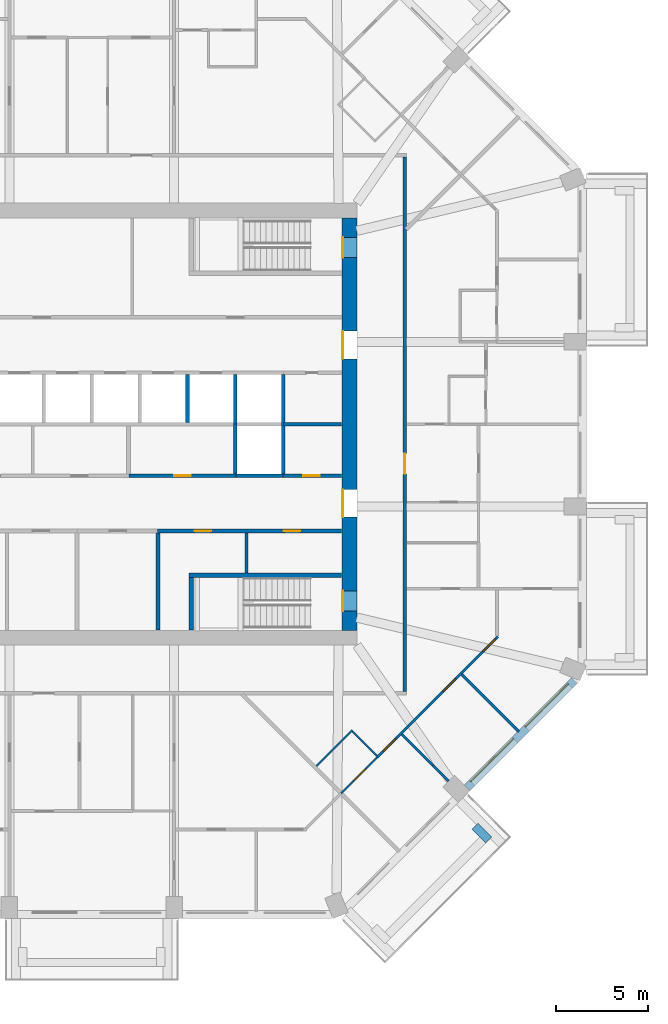
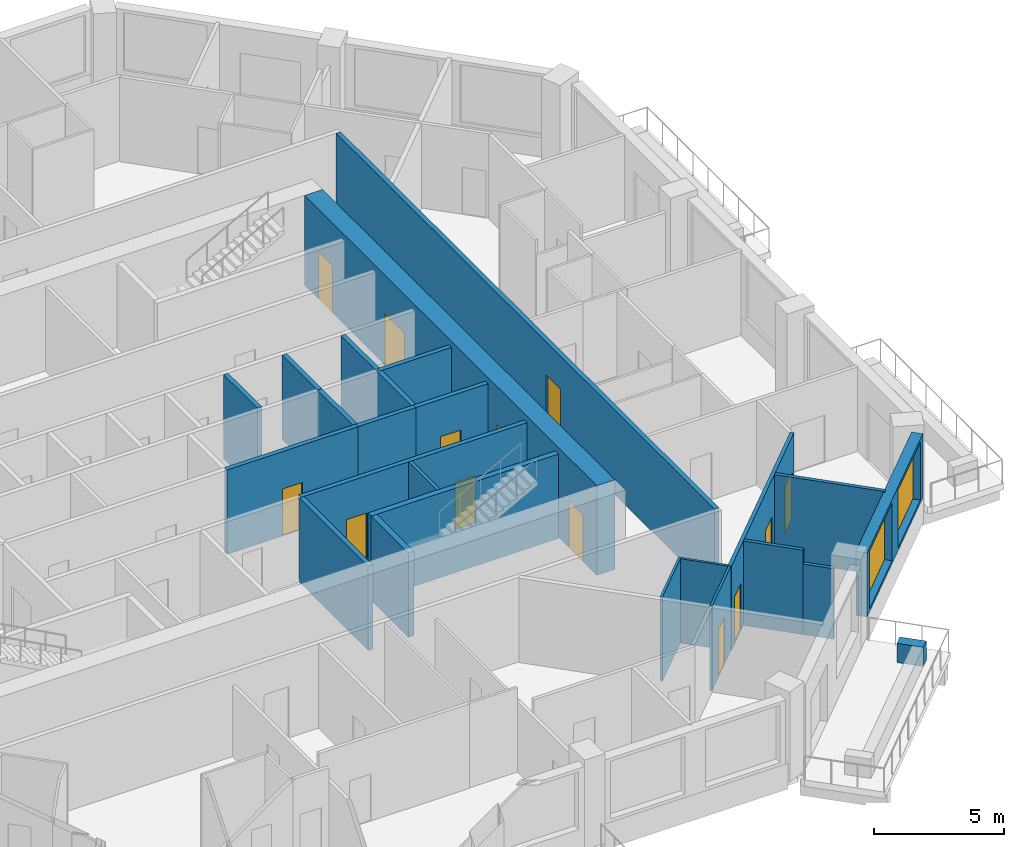
# One storey, part 6 of 13: 24 walls, 13 doors, 2 windows, 15 openings.
"""IFC4 building model written with IfcOpenShell, lengths in metres."""

import ifcopenshell
import ifcopenshell.guid

model = None  # the IFC model being written
_history = None  # IfcOwnerHistory: only IFC2X3 demands one
_inside = {}  # id of a spatial element -> (the spatial element, [elements in it])
_under = {}  # id of a project, library or spatial element -> (it, [spatial elements below it])
_declared = {}  # id of a project -> (the project, [libraries it declares])
_typed = {}  # id of a type object -> (the type object, [elements of that type])
_made_of = {}  # id of a material, layer set ... -> (it, [elements and type objects made of it])


def new_model(schema):
    """Start an empty IFC model of exactly this schema.

    Asked for "IFC4X3", IfcOpenShell would pick the latest addendum, in which some entities
    have other attributes; the version numbers below select the first issue.
    IFC2X3 requires an IfcOwnerHistory on every rooted entity: one is made here for all.
    """
    global model, _history
    if schema == "IFC4X3":
        model = ifcopenshell.file(schema_version=(4, 3, 0, 0))
    else:
        model = ifcopenshell.file(schema=schema)
    _inside.clear()
    _under.clear()
    _declared.clear()
    _typed.clear()
    _made_of.clear()
    _history = None
    if model.schema == "IFC2X3":
        org = make("IfcOrganization", Name="unknown")
        user = make(
            "IfcPersonAndOrganization",
            ThePerson=make("IfcPerson", FamilyName="unknown"),
            TheOrganization=org,
        )
        app = make(
            "IfcApplication",
            ApplicationDeveloper=org,
            Version="unknown",
            ApplicationFullName="unknown",
            ApplicationIdentifier="unknown",
        )
        _history = make(
            "IfcOwnerHistory",
            OwningUser=user,
            OwningApplication=app,
            ChangeAction="ADDED",
            CreationDate=0,
        )
    return model


def make(cls, **values):
    """One entity of the class cls with the attributes given. An attribute that is None is left unset."""
    return model.create_entity(
        cls, **{name: value for name, value in values.items() if value is not None}
    )


def rooted(cls, **values):
    """An entity with a GlobalId (a new one), such as an element, a storey or a relation."""
    return make(cls, GlobalId=ifcopenshell.guid.new(), OwnerHistory=_history, **values)


def si_unit(unit_type, name, prefix=None):
    """IfcSIUnit, for example si_unit("LENGTHUNIT", "METRE", prefix="MILLI")."""
    return make("IfcSIUnit", UnitType=unit_type, Prefix=prefix, Name=name)


def assignment(units):
    """IfcUnitAssignment: the units of a project."""
    return None if units is None else make("IfcUnitAssignment", Units=units)


def point(xyz):
    """IfcCartesianPoint."""
    return None if xyz is None else make("IfcCartesianPoint", Coordinates=xyz)


def direction(xyz):
    """IfcDirection."""
    return None if xyz is None else make("IfcDirection", DirectionRatios=xyz)


def frame(location, z_axis=None, x_axis=None):
    """IfcAxis2Placement3D, a coordinate frame: its origin and axes. An axis left out is left unset."""
    return make(
        "IfcAxis2Placement3D",
        Location=point(location),
        Axis=direction(z_axis),
        RefDirection=direction(x_axis),
    )


def frame_2d(location, x_axis=None):
    """IfcAxis2Placement2D, a coordinate frame in the plane: its origin and x axis."""
    return make(
        "IfcAxis2Placement2D", Location=point(location), RefDirection=direction(x_axis)
    )


def origin():
    """The frame at (0, 0, 0) with its axes left unset."""
    return frame((0.0, 0.0, 0.0))


def place(relative_to, where):
    """IfcLocalPlacement: puts the frame where relative to a parent placement (None: the world)."""
    return make(
        "IfcLocalPlacement", PlacementRelTo=relative_to, RelativePlacement=where
    )


def context(
    kind, dimensions, precision=None, world=None, true_north=None, identifier=None
):
    """IfcGeometricRepresentationContext, for example the 3D "Model" context."""
    return make(
        "IfcGeometricRepresentationContext",
        ContextIdentifier=identifier,
        ContextType=kind,
        CoordinateSpaceDimension=dimensions,
        Precision=precision,
        WorldCoordinateSystem=world,
        TrueNorth=true_north,
    )


def subcontext(parent, identifier, kind, view, scale=None):
    """IfcGeometricRepresentationSubContext, for example "Body" below "Model"."""
    return make(
        "IfcGeometricRepresentationSubContext",
        ContextIdentifier=identifier,
        ContextType=kind,
        ParentContext=parent,
        TargetScale=scale,
        TargetView=view,
    )


def project(units=None, contexts=None):
    """IfcProject with its units and contexts."""
    return rooted(
        "IfcProject",
        Name="project",
        RepresentationContexts=contexts,
        UnitsInContext=assignment(units),
    )


def spatial(cls, under=None, at=None, **own):
    """A site, building, storey or space (cls), placed at a placement, below another one or the project."""
    s = rooted(cls, ObjectPlacement=at, **own)
    if under is not None:
        _under.setdefault(under.id(), (under, []))[1].append(s)
    return s


def profile(cls, at=None, kind="AREA", **sizes):
    """A parametric profile (cls). Its sizes go by their IFC names, for example OverallWidth=200.0."""
    return make(cls, ProfileType=kind, Position=at, **sizes)


def rectangle(**sizes):
    """IfcRectangleProfileDef."""
    return profile("IfcRectangleProfileDef", **sizes)


def extrude(swept, where, along, depth):
    """IfcExtrudedAreaSolid: the profile swept, set in the frame where, extruded along a direction by depth."""
    return make(
        "IfcExtrudedAreaSolid",
        SweptArea=swept,
        Position=where,
        ExtrudedDirection=direction(along),
        Depth=depth,
    )


def shape(context_of_items, identifier, shape_type, items):
    """IfcShapeRepresentation: the items that make up one representation, for example the "Body"."""
    return make(
        "IfcShapeRepresentation",
        ContextOfItems=context_of_items,
        RepresentationIdentifier=identifier,
        RepresentationType=shape_type,
        Items=items,
    )


def material(Name=None, Category=None):
    """IfcMaterial."""
    return make("IfcMaterial", Name=Name, Category=Category)


def layer(
    of_material, thickness, ventilated=None, Name=None, Category=None, Priority=None
):
    """IfcMaterialLayer: one layer of a wall or slab, of a material (None: an air gap)."""
    return make(
        "IfcMaterialLayer",
        Material=of_material,
        LayerThickness=thickness,
        IsVentilated=ventilated,
        Name=Name,
        Category=Category,
        Priority=Priority,
    )


def layer_set(layers, Name=None):
    """IfcMaterialLayerSet."""
    return make("IfcMaterialLayerSet", MaterialLayers=layers, LayerSetName=Name)


def made_of(thing, what):
    """Note that an element or type object is made of a material, layer set ...; save() writes the relation."""
    if what is not None:
        _made_of.setdefault(what.id(), (what, []))[1].append(thing)
    return thing


def type_object(cls, material=None, **own):
    """A type object (cls), such as IfcWallType, which elements share."""
    return made_of(rooted(cls, **own), material)


def element(
    cls,
    number,
    at=None,
    inside=None,
    cuts=None,
    type_object=None,
    material=None,
    context=None,
    identifier="Body",
    shape_type=None,
    held_by="IfcProductDefinitionShape",
    body=None,
    shapes=None,
    **own,
):
    """One element of the class cls, such as IfcWall. Its Tag is "e" and its number.

    at: its placement. inside: the storey or other place that contains it. cuts: it is an
    opening in that element (IfcRelVoidsElement). A single representation is given by context,
    identifier, shape_type and body (its items); several are given by shapes. held_by: the class
    of the entity that holds the representations. save() writes the other relations.
    """
    e = rooted(cls, Tag="e%d" % number, ObjectPlacement=at, **own)
    if body is not None:
        shapes = [shape(context, identifier, shape_type, body)]
    if shapes is not None:
        e.Representation = make(held_by, Representations=shapes)
    if inside is not None:
        _inside.setdefault(inside.id(), (inside, []))[1].append(e)
    if cuts is not None:
        rooted(
            "IfcRelVoidsElement", RelatingBuildingElement=cuts, RelatedOpeningElement=e
        )
    if type_object is not None:
        _typed.setdefault(type_object.id(), (type_object, []))[1].append(e)
    return made_of(e, material)


def fill(opening, filler):
    """IfcRelFillsElement: the door or window that sits in an opening."""
    return rooted(
        "IfcRelFillsElement",
        RelatingOpeningElement=opening,
        RelatedBuildingElement=filler,
    )


def aggregate(whole, parts):
    """IfcRelAggregates: a whole, such as a stair, and the parts it consists of."""
    return rooted("IfcRelAggregates", RelatingObject=whole, RelatedObjects=parts)


def save(model, path):
    """Write the relations noted so far, then the file.

    IfcRelAggregates (storeys below a building ...), IfcRelContainedInSpatialStructure (elements
    in a storey), IfcRelDefinesByType, IfcRelAssociatesMaterial and IfcRelDeclares: one each for
    every whole, place, type object, material and project.
    """
    for whole, parts in _under.values():
        aggregate(whole, parts)
    for where, things in _inside.values():
        rooted(
            "IfcRelContainedInSpatialStructure",
            RelatedElements=things,
            RelatingStructure=where,
        )
    for kind, things in _typed.values():
        rooted("IfcRelDefinesByType", RelatedObjects=things, RelatingType=kind)
    for what, things in _made_of.values():
        rooted("IfcRelAssociatesMaterial", RelatedObjects=things, RelatingMaterial=what)
    for by, libraries in _declared.values():
        rooted("IfcRelDeclares", RelatingContext=by, RelatedDefinitions=libraries)
    model.write(path)


model = new_model("IFC4")

# Units and contexts
model_context = context("Model", 3, precision=1e-05, world=origin(), true_north=direction((0.0, 1.0)))
body_context = subcontext(model_context, "Body", "Model", "MODEL_VIEW")
ifc_project = project(units=[si_unit("LENGTHUNIT", "METRE"), si_unit("AREAUNIT", "SQUARE_METRE"), si_unit("VOLUMEUNIT", "CUBIC_METRE"), si_unit("PLANEANGLEUNIT", "RADIAN"), si_unit("MASSUNIT", "GRAM", prefix="KILO")], contexts=[model_context])

# Site, building, storey
site_placement = place(None, origin())
site = spatial("IfcSite", under=ifc_project, at=site_placement, CompositionType="ELEMENT")
building_placement = place(site_placement, origin())
building = spatial("IfcBuilding", under=site, at=building_placement, Name="Msitu Wima Residences", CompositionType="ELEMENT")
storey_placement = place(building_placement, frame((0.0, 0.0, 131.699951171875)))
storey = spatial("IfcBuildingStorey", under=building, at=storey_placement, Name="L30", CompositionType="ELEMENT", Elevation=131.699951171875)

# Wall
ifc_material_1 = material(Name="Facing brick")
ifc_layer_1 = layer(ifc_material_1, 0.06494140625, Name="Facing brick")
ifc_material_2 = material(Name="Concrete C40/50", Category="concrete")
ifc_layer_2 = layer(ifc_material_2, 0.156005859375, Name="Concrete C40/50")
ifc_material_3 = material(Name="Waterproofing membrane")
ifc_layer_3 = layer(ifc_material_3, 0.00390625, Name="Waterproofing membrane")
ifc_material_4 = material(Name="Planting soil and planting")
ifc_layer_4 = layer(ifc_material_4, 0.22509765625, Name="Planting soil and planting")
ifc_layer_set_1 = layer_set([ifc_layer_1, ifc_layer_2, ifc_layer_3, ifc_layer_4], Name="Concrete C40/50")
wall_type_1 = type_object("IfcWallType", Name="Balcony planter PLANTER PL450", PredefinedType="USERDEFINED", material=ifc_layer_set_1)
wall_1_placement = place(storey_placement, frame((20.804443359375, -21.829833984375, 0.0), z_axis=(0.0, 0.0, 1.0), x_axis=(0.707106781187, -0.707106781187, 0.0)))
element("IfcWall", 1, at=wall_1_placement, inside=storey, type_object=wall_type_1, Name="Balcony planter SE0 L30", ObjectType="PLANTER", PredefinedType="USERDEFINED", context=body_context, shape_type="SweptSolid", body=[
    extrude(rectangle(XDim=1.050048828125, YDim=0.449951171875, at=frame_2d((0.52490234375, 0.0))), origin(), (0.0, 0.0, 1.0), 0.900146484375),
])

# Wall, openings, windows
ifc_material_5 = material(Name="Brick (red buff mix)", Category="masonry")
ifc_layer_5 = layer(ifc_material_5, 0.449951171875)
ifc_layer_set_2 = layer_set([ifc_layer_5], Name="Brick (red buff mix)")
wall_type_2 = type_object("IfcWallType", Name="Brick infill wall BW450", PredefinedType="SOLIDWALL", material=ifc_layer_set_2)
wall_2_placement = place(storey_placement, frame((20.380126953125, -19.743896484375, 0.900146484375), z_axis=(0.0, 0.0, 1.0), x_axis=(0.707106781187, 0.707106781187, 0.0)))
wall_2 = element("IfcWall", 2, at=wall_2_placement, inside=storey, type_object=wall_type_2, Name="Brick infill wall L30 SE1", PredefinedType="SOLIDWALL", context=body_context, shape_type="SweptSolid", body=[
    extrude(rectangle(XDim=8.251220703125, YDim=0.449951171875, at=frame_2d((4.12548828125, 0.0))), origin(), (0.0, 0.0, 1.0), 3.0),
])
opening_1_placement = place(wall_2_placement, frame((0.37548828125, 0.0, 0.14990234375)))
opening_1 = element("IfcOpeningElement", 3, at=opening_1_placement, cuts=wall_2, Name="Opening W30-32.022", PredefinedType="OPENING", context=body_context, shape_type="SweptSolid", body=[
    extrude(rectangle(XDim=3.300048828125, YDim=2.699951171875, at=frame_2d((1.64990234375, 1.35009765625))), frame((0.0, 0.23486328125, 0.0), z_axis=(0.0, -1.0, 0.0), x_axis=(1.0, 0.0, 0.0)), (0.0, 0.0, 1.0), 0.469970703125),
])
opening_2_placement = place(wall_2_placement, frame((4.57568359375, 0.0, 0.14990234375)))
opening_2 = element("IfcOpeningElement", 4, at=opening_2_placement, cuts=wall_2, Name="Opening W30-32.023", PredefinedType="OPENING", context=body_context, shape_type="SweptSolid", body=[
    extrude(rectangle(XDim=3.300048828125, YDim=2.699951171875, at=frame_2d((1.64990234375, 1.35009765625))), frame((0.0, 0.23486328125, 0.0), z_axis=(0.0, -1.0, 0.0), x_axis=(1.0, 0.0, 0.0)), (0.0, 0.0, 1.0), 0.469970703125),
])
ifc_material_6 = material(Name="Anodised aluminium, bronze finish, clear low-emissivity double glazing", Category="aluminium")
window_type = type_object("IfcWindowType", Name="Window W3300x2700", PartitioningType="DOUBLE_PANEL_VERTICAL", PredefinedType="WINDOW", material=ifc_material_6)
window_1_placement = place(opening_1_placement, origin())
window_1 = element("IfcWindow", 5, at=window_1_placement, inside=storey, type_object=window_type, Name="Window L30 SE1.1", OverallHeight=2.699951171875, OverallWidth=3.300048828125, PartitioningType="SINGLE_PANEL", PredefinedType="WINDOW", context=body_context, shape_type="SweptSolid", body=[
    extrude(rectangle(XDim=3.300048828125, YDim=2.699951171875, at=frame_2d((1.64990234375, 1.35009765625))), frame((0.0, 0.135009765625, 0.0), z_axis=(0.0, -1.0, 0.0), x_axis=(1.0, 0.0, 0.0)), (0.0, 0.0, 1.0), 0.06005859375),
])
fill(opening_1, window_1)
window_2_placement = place(opening_2_placement, origin())
window_2 = element("IfcWindow", 6, at=window_2_placement, inside=storey, type_object=window_type, Name="Window L30 SE1.2", OverallHeight=2.699951171875, OverallWidth=3.300048828125, PartitioningType="SINGLE_PANEL", PredefinedType="WINDOW", context=body_context, shape_type="SweptSolid", body=[
    extrude(rectangle(XDim=3.300048828125, YDim=2.699951171875, at=frame_2d((1.64990234375, 1.35009765625))), frame((0.0, 0.135009765625, 0.0), z_axis=(0.0, -1.0, 0.0), x_axis=(1.0, 0.0, 0.0)), (0.0, 0.0, 1.0), 0.06005859375),
])
fill(opening_2, window_2)

# Wall, openings, doors
ifc_material_7 = material(Name="Concrete C70/85", Category="concrete")
ifc_layer_6 = layer(ifc_material_7, 0.800048828125)
ifc_layer_set_3 = layer_set([ifc_layer_6], Name="Concrete C70/85")
wall_type_3 = type_object("IfcWallType", Name="Core wall CW800 C70/85", PredefinedType="SHEAR", material=ifc_layer_set_3)
wall_3_placement = place(storey_placement, frame((14.0, -11.199951171875, 0.0), z_axis=(0.0, 0.0, 1.0), x_axis=(0.0, 1.0, 0.0)))
wall_3 = element("IfcWall", 7, at=wall_3_placement, inside=storey, type_object=wall_type_3, Name="Core wall", PredefinedType="SHEAR", context=body_context, shape_type="SweptSolid", body=[
    extrude(rectangle(XDim=22.39990234375, YDim=0.800048828125, at=frame_2d((11.199951171875, 0.0))), origin(), (0.0, 0.0, 1.0), 4.199951171875),
])
opening_3_placement = place(wall_3_placement, frame((20.25, 0.0, 0.0)))
opening_3 = element("IfcOpeningElement", 8, at=opening_3_placement, cuts=wall_3, Name="Opening D30-32.038", PredefinedType="OPENING", context=body_context, shape_type="SweptSolid", body=[
    extrude(rectangle(XDim=1.10009765625, YDim=2.199951171875, at=frame_2d((0.550048828125, 1.10009765625))), frame((0.0, 0.409912109375, 0.0), z_axis=(0.0, -1.0, 0.0), x_axis=(1.0, 0.0, 0.0)), (0.0, 0.0, 1.0), 0.820068359375),
])
opening_4_placement = place(wall_3_placement, frame((1.050048828125, 0.0, 0.0)))
opening_4 = element("IfcOpeningElement", 9, at=opening_4_placement, cuts=wall_3, Name="Opening D30-32.039", PredefinedType="OPENING", context=body_context, shape_type="SweptSolid", body=[
    extrude(rectangle(XDim=1.10009765625, YDim=2.199951171875, at=frame_2d((0.550048828125, 1.10009765625))), frame((0.0, 0.409912109375, 0.0), z_axis=(0.0, -1.0, 0.0), x_axis=(1.0, 0.0, 0.0)), (0.0, 0.0, 1.0), 0.820068359375),
])
opening_5_placement = place(wall_3_placement, frame((14.75, 0.0, 0.0)))
opening_5 = element("IfcOpeningElement", 10, at=opening_5_placement, cuts=wall_3, Name="Opening D30-32.027", PredefinedType="OPENING", context=body_context, shape_type="SweptSolid", body=[
    extrude(rectangle(XDim=1.5, YDim=2.39990234375, at=frame_2d((0.75, 1.199951171875))), frame((0.0, 0.409912109375, 0.0), z_axis=(0.0, -1.0, 0.0), x_axis=(1.0, 0.0, 0.0)), (0.0, 0.0, 1.0), 0.820068359375),
])
opening_6_placement = place(wall_3_placement, frame((6.14990234375, 0.0, 0.0)))
opening_6 = element("IfcOpeningElement", 11, at=opening_6_placement, cuts=wall_3, Name="Opening D30-32.028", PredefinedType="OPENING", context=body_context, shape_type="SweptSolid", body=[
    extrude(rectangle(XDim=1.5, YDim=2.39990234375, at=frame_2d((0.75, 1.199951171875))), frame((0.0, 0.409912109375, 0.0), z_axis=(0.0, -1.0, 0.0), x_axis=(1.0, 0.0, 0.0)), (0.0, 0.0, 1.0), 0.820068359375),
])
ifc_material_8 = material(Name="Steel framed glazed door, fire resisting", Category="steel")
door_type_1 = type_object("IfcDoorType", Name="Lobby door D07 1500x2400", OperationType="DOUBLE_DOOR_SINGLE_SWING", PredefinedType="DOOR", material=ifc_material_8)
door_1_placement = place(opening_5_placement, origin())
door_1 = element("IfcDoor", 12, at=door_1_placement, inside=storey, type_object=door_type_1, Name="Lobby door", OperationType="DOUBLE_DOOR_SINGLE_SWING", OverallHeight=2.39990234375, OverallWidth=1.5, PredefinedType="DOOR", context=body_context, shape_type="SweptSolid", body=[
    extrude(rectangle(XDim=1.5, YDim=2.39990234375, at=frame_2d((0.75, 1.199951171875))), frame((0.0, 0.39501953125, 0.0), z_axis=(0.0, -1.0, 0.0), x_axis=(1.0, 0.0, 0.0)), (0.0, 0.0, 1.0), 0.050048828125),
])
fill(opening_5, door_1)
door_2_placement = place(opening_6_placement, origin())
door_2 = element("IfcDoor", 13, at=door_2_placement, inside=storey, type_object=door_type_1, Name="Lobby door", OperationType="DOUBLE_DOOR_SINGLE_SWING", OverallHeight=2.39990234375, OverallWidth=1.5, PredefinedType="DOOR", context=body_context, shape_type="SweptSolid", body=[
    extrude(rectangle(XDim=1.5, YDim=2.39990234375, at=frame_2d((0.75, 1.199951171875))), frame((0.0, 0.39501953125, 0.0), z_axis=(0.0, -1.0, 0.0), x_axis=(1.0, 0.0, 0.0)), (0.0, 0.0, 1.0), 0.050048828125),
])
fill(opening_6, door_2)
ifc_material_9 = material(Name="Steel door, fire resisting, panic bar", Category="steel")
door_type_2 = type_object("IfcDoorType", Name="Stair door D06 1100x2200", OperationType="SINGLE_SWING_LEFT", PredefinedType="DOOR", material=ifc_material_9)
door_3_placement = place(opening_3_placement, origin())
door_3 = element("IfcDoor", 14, at=door_3_placement, inside=storey, type_object=door_type_2, Name="Stair door", OperationType="SINGLE_SWING_LEFT", OverallHeight=2.199951171875, OverallWidth=1.10009765625, PredefinedType="DOOR", context=body_context, shape_type="SweptSolid", body=[
    extrude(rectangle(XDim=1.10009765625, YDim=2.199951171875, at=frame_2d((0.550048828125, 1.10009765625))), frame((0.0, 0.39501953125, 0.0), z_axis=(0.0, -1.0, 0.0), x_axis=(1.0, 0.0, 0.0)), (0.0, 0.0, 1.0), 0.050048828125),
])
fill(opening_3, door_3)
door_4_placement = place(opening_4_placement, origin())
door_4 = element("IfcDoor", 15, at=door_4_placement, inside=storey, type_object=door_type_2, Name="Stair door", OperationType="SINGLE_SWING_RIGHT", OverallHeight=2.199951171875, OverallWidth=1.10009765625, PredefinedType="DOOR", context=body_context, shape_type="SweptSolid", body=[
    extrude(rectangle(XDim=1.10009765625, YDim=2.199951171875, at=frame_2d((0.550048828125, 1.10009765625))), frame((0.0, 0.39501953125, 0.0), z_axis=(0.0, -1.0, 0.0), x_axis=(1.0, 0.0, 0.0)), (0.0, 0.0, 1.0), 0.050048828125),
])
fill(opening_4, door_4)

ifc_material_10 = material(Name="Plaster")
ifc_layer_7 = layer(ifc_material_10, 0.011962890625, Name="Plaster")
ifc_material_11 = material(Name="Concrete blockwork", Category="masonry")
ifc_layer_8 = layer(ifc_material_11, 0.176025390625, Name="Concrete blockwork")
ifc_layer_9 = layer(ifc_material_10, 0.011962890625, Name="Plaster")
ifc_layer_set_4 = layer_set([ifc_layer_7, ifc_layer_8, ifc_layer_9], Name="Concrete blockwork")
wall_type_4 = type_object("IfcWallType", Name="Corridor wall FW200", PredefinedType="PARTITIONING", material=ifc_layer_set_4)
wall_4_placement = place(storey_placement, frame((3.580078125, -5.800048828125, 0.0), z_axis=(0.0, 0.0, 1.0), x_axis=(1.0, 0.0, 0.0)))
wall_4 = element("IfcWall", 16, at=wall_4_placement, inside=storey, type_object=wall_type_4, Name="Corridor wall", PredefinedType="PARTITIONING", context=body_context, shape_type="SweptSolid", body=[
    extrude(rectangle(XDim=9.989990234375, YDim=0.199951171875, at=frame_2d((4.9951171875, 0.0))), origin(), (0.0, 0.0, 1.0), 3.949951171875),
])
opening_7_placement = place(wall_4_placement, frame((2.0, 0.0, 0.0)))
opening_7 = element("IfcOpeningElement", 17, at=opening_7_placement, cuts=wall_4, Name="Opening D30-32.025", PredefinedType="OPENING", context=body_context, shape_type="SweptSolid", body=[
    extrude(rectangle(XDim=0.89990234375, YDim=2.199951171875, at=frame_2d((0.449951171875, 1.10009765625))), frame((0.0, 0.10986328125, 0.0), z_axis=(0.0, -1.0, 0.0), x_axis=(1.0, 0.0, 0.0)), (0.0, 0.0, 1.0), 0.219970703125),
])
opening_8_placement = place(wall_4_placement, frame((6.85009765625, 0.0, 0.0)))
opening_8 = element("IfcOpeningElement", 18, at=opening_8_placement, cuts=wall_4, Name="Opening D30-32.026", PredefinedType="OPENING", context=body_context, shape_type="SweptSolid", body=[
    extrude(rectangle(XDim=0.89990234375, YDim=2.199951171875, at=frame_2d((0.449951171875, 1.10009765625))), frame((0.0, 0.10986328125, 0.0), z_axis=(0.0, -1.0, 0.0), x_axis=(1.0, 0.0, 0.0)), (0.0, 0.0, 1.0), 0.219970703125),
])
ifc_material_12 = material(Name="Timber flush door", Category="wood")
door_type_3 = type_object("IfcDoorType", Name="Service door D05 900x2200", OperationType="SINGLE_SWING_LEFT", PredefinedType="DOOR", material=ifc_material_12)
door_5_placement = place(opening_7_placement, origin())
door_5 = element("IfcDoor", 19, at=door_5_placement, inside=storey, type_object=door_type_3, Name="Service door", OperationType="SINGLE_SWING_LEFT", OverallHeight=2.199951171875, OverallWidth=0.89990234375, PredefinedType="DOOR", context=body_context, shape_type="SweptSolid", body=[
    extrude(rectangle(XDim=0.89990234375, YDim=2.199951171875, at=frame_2d((0.449951171875, 1.10009765625))), frame((0.0, 0.02490234375, 0.0), z_axis=(0.0, -1.0, 0.0), x_axis=(1.0, 0.0, 0.0)), (0.0, 0.0, 1.0), 0.050048828125),
])
fill(opening_7, door_5)
door_6_placement = place(opening_8_placement, origin())
door_6 = element("IfcDoor", 20, at=door_6_placement, inside=storey, type_object=door_type_3, Name="Service door", OperationType="SINGLE_SWING_RIGHT", OverallHeight=2.199951171875, OverallWidth=0.89990234375, PredefinedType="DOOR", context=body_context, shape_type="SweptSolid", body=[
    extrude(rectangle(XDim=0.89990234375, YDim=2.199951171875, at=frame_2d((0.449951171875, 1.10009765625))), frame((0.0, 0.02490234375, 0.0), z_axis=(0.0, -1.0, 0.0), x_axis=(1.0, 0.0, 0.0)), (0.0, 0.0, 1.0), 0.050048828125),
])
fill(opening_8, door_6)

# Wall, opening, door
wall_5_placement = place(storey_placement, frame((17.0, -14.5, 0.0), z_axis=(0.0, 0.0, 1.0), x_axis=(0.0, 1.0, 0.0)))
wall_5 = element("IfcWall", 21, at=wall_5_placement, inside=storey, type_object=wall_type_4, Name="Corridor wall", PredefinedType="PARTITIONING", context=body_context, shape_type="SweptSolid", body=[
    extrude(rectangle(XDim=29.0, YDim=0.199951171875, at=frame_2d((14.5, 0.0))), origin(), (0.0, 0.0, 1.0), 3.949951171875),
])
opening_9_placement = place(wall_5_placement, frame((11.800048828125, 0.0, 0.0)))
opening_9 = element("IfcOpeningElement", 22, at=opening_9_placement, cuts=wall_5, Name="Opening D30-32.014", PredefinedType="OPENING", context=body_context, shape_type="SweptSolid", body=[
    extrude(rectangle(XDim=1.10009765625, YDim=2.39990234375, at=frame_2d((0.550048828125, 1.199951171875))), frame((0.0, 0.10986328125, 0.0), z_axis=(0.0, -1.0, 0.0), x_axis=(1.0, 0.0, 0.0)), (0.0, 0.0, 1.0), 0.219970703125),
])
ifc_material_13 = material(Name="Timber flush door, fire resisting, self-closing", Category="wood")
door_type_4 = type_object("IfcDoorType", Name="Flat entrance door D01 1100x2400", OperationType="SINGLE_SWING_LEFT", PredefinedType="DOOR", material=ifc_material_13)
door_7_placement = place(opening_9_placement, origin())
door_7 = element("IfcDoor", 23, at=door_7_placement, inside=storey, type_object=door_type_4, Name="Flat entrance door", OperationType="SINGLE_SWING_RIGHT", OverallHeight=2.39990234375, OverallWidth=1.10009765625, PredefinedType="DOOR", context=body_context, shape_type="SweptSolid", body=[
    extrude(rectangle(XDim=1.10009765625, YDim=2.39990234375, at=frame_2d((0.550048828125, 1.199951171875))), frame((0.0, 0.02490234375, 0.0), z_axis=(0.0, -1.0, 0.0), x_axis=(1.0, 0.0, 0.0)), (0.0, 0.0, 1.0), 0.050048828125),
])
fill(opening_9, door_7)

# Wall
ifc_layer_10 = layer(ifc_material_10, 0.011962890625, Name="Plaster")
ifc_layer_11 = layer(ifc_material_11, 0.1259765625, Name="Concrete blockwork")
ifc_layer_12 = layer(ifc_material_10, 0.011962890625, Name="Plaster")
ifc_layer_set_5 = layer_set([ifc_layer_10, ifc_layer_11, ifc_layer_12], Name="Concrete blockwork")
wall_type_5 = type_object("IfcWallType", Name="Partition PW150", PredefinedType="PARTITIONING", material=ifc_layer_set_5)
wall_6_placement = place(storey_placement, frame((8.39990234375, -8.074951171875, 0.0), z_axis=(0.0, 0.0, 1.0), x_axis=(0.0, 1.0, 0.0)))
element("IfcWall", 24, at=wall_6_placement, inside=storey, type_object=wall_type_5, Name="Partition", PredefinedType="PARTITIONING", context=body_context, shape_type="SweptSolid", body=[
    extrude(rectangle(XDim=2.175048828125, YDim=0.14990234375, at=frame_2d((1.08740234375, 0.0))), origin(), (0.0, 0.0, 1.0), 3.949951171875),
])

# Wall, openings, doors
wall_7_placement = place(storey_placement, frame((15.5087890625, -18.074462890625, 0.0), z_axis=(0.0, 0.0, 1.0), x_axis=(0.707106781187, 0.707106781187, 0.0)))
wall_7 = element("IfcWall", 25, at=wall_7_placement, inside=storey, type_object=wall_type_5, Name="Partition", PredefinedType="PARTITIONING", context=body_context, shape_type="SweptSolid", body=[
    extrude(rectangle(XDim=9.2548828125, YDim=0.14990234375, at=frame_2d((4.62744140625, 0.0))), origin(), (0.0, 0.0, 1.0), 3.949951171875),
])
opening_10_placement = place(wall_7_placement, frame((8.10009765625, 0.0, 0.0)))
opening_10 = element("IfcOpeningElement", 26, at=opening_10_placement, cuts=wall_7, Name="Opening D30-32.082", PredefinedType="OPENING", context=body_context, shape_type="SweptSolid", body=[
    extrude(rectangle(XDim=0.949951171875, YDim=2.199951171875, at=frame_2d((0.47509765625, 1.10009765625))), frame((0.0, 0.0849609375, 0.0), z_axis=(0.0, -1.0, 0.0), x_axis=(1.0, 0.0, 0.0)), (0.0, 0.0, 1.0), 0.169921875),
])
opening_11_placement = place(wall_7_placement, frame((5.050048828125, 0.0, 0.0)))
opening_11 = element("IfcOpeningElement", 27, at=opening_11_placement, cuts=wall_7, Name="Opening D30-32.083", PredefinedType="OPENING", context=body_context, shape_type="SweptSolid", body=[
    extrude(rectangle(XDim=0.949951171875, YDim=2.199951171875, at=frame_2d((0.47509765625, 1.10009765625))), frame((0.0, 0.0849609375, 0.0), z_axis=(0.0, -1.0, 0.0), x_axis=(1.0, 0.0, 0.0)), (0.0, 0.0, 1.0), 0.169921875),
])
opening_12_placement = place(wall_7_placement, frame((0.449951171875, 0.0, 0.0)))
opening_12 = element("IfcOpeningElement", 28, at=opening_12_placement, cuts=wall_7, Name="Opening D30-32.085", PredefinedType="OPENING", context=body_context, shape_type="SweptSolid", body=[
    extrude(rectangle(XDim=0.949951171875, YDim=2.199951171875, at=frame_2d((0.47509765625, 1.10009765625))), frame((0.0, 0.0849609375, 0.0), z_axis=(0.0, -1.0, 0.0), x_axis=(1.0, 0.0, 0.0)), (0.0, 0.0, 1.0), 0.169921875),
])
door_type_5 = type_object("IfcDoorType", Name="Room door D12 950x2200", OperationType="SINGLE_SWING_LEFT", PredefinedType="DOOR", material=ifc_material_12)
door_8_placement = place(opening_10_placement, origin())
door_8 = element("IfcDoor", 29, at=door_8_placement, inside=storey, type_object=door_type_5, Name="Room door", OperationType="SINGLE_SWING_RIGHT", OverallHeight=2.199951171875, OverallWidth=0.949951171875, PredefinedType="DOOR", context=body_context, shape_type="SweptSolid", body=[
    extrude(rectangle(XDim=0.949951171875, YDim=2.199951171875, at=frame_2d((0.47509765625, 1.10009765625))), frame((0.0, 0.02490234375, 0.0), z_axis=(0.0, -1.0, 0.0), x_axis=(1.0, 0.0, 0.0)), (0.0, 0.0, 1.0), 0.050048828125),
])
fill(opening_10, door_8)
door_9_placement = place(opening_11_placement, origin())
door_9 = element("IfcDoor", 30, at=door_9_placement, inside=storey, type_object=door_type_5, Name="Room door", OperationType="SINGLE_SWING_LEFT", OverallHeight=2.199951171875, OverallWidth=0.949951171875, PredefinedType="DOOR", context=body_context, shape_type="SweptSolid", body=[
    extrude(rectangle(XDim=0.949951171875, YDim=2.199951171875, at=frame_2d((0.47509765625, 1.10009765625))), frame((0.0, 0.02490234375, 0.0), z_axis=(0.0, -1.0, 0.0), x_axis=(1.0, 0.0, 0.0)), (0.0, 0.0, 1.0), 0.050048828125),
])
fill(opening_11, door_9)
door_10_placement = place(opening_12_placement, origin())
door_10 = element("IfcDoor", 31, at=door_10_placement, inside=storey, type_object=door_type_5, Name="Room door", OperationType="SINGLE_SWING_LEFT", OverallHeight=2.199951171875, OverallWidth=0.949951171875, PredefinedType="DOOR", context=body_context, shape_type="SweptSolid", body=[
    extrude(rectangle(XDim=0.949951171875, YDim=2.199951171875, at=frame_2d((0.47509765625, 1.10009765625))), frame((0.0, 0.02490234375, 0.0), z_axis=(0.0, -1.0, 0.0), x_axis=(1.0, 0.0, 0.0)), (0.0, 0.0, 1.0), 0.050048828125),
])
fill(opening_12, door_10)

# Walls
wall_8_placement = place(storey_placement, frame((16.8447265625, -16.8447265625, 0.0), z_axis=(0.0, 0.0, 1.0), x_axis=(0.707106781187, -0.707106781187, 0.0)))
element("IfcWall", 32, at=wall_8_placement, inside=storey, type_object=wall_type_5, Name="Partition", PredefinedType="PARTITIONING", context=body_context, shape_type="SweptSolid", body=[
    extrude(rectangle(XDim=2.36572265625, YDim=0.14990234375, at=frame_2d((1.182861328125, 0.0))), origin(), (0.0, 0.0, 1.0), 3.949951171875),
])
wall_9_placement = place(storey_placement, frame((18.517578125, -18.517578125, 0.0), z_axis=(0.0, 0.0, 1.0), x_axis=(0.707106781187, -0.707106781187, 0.0)))
element("IfcWall", 33, at=wall_9_placement, inside=storey, type_object=wall_type_5, Name="Partition", PredefinedType="PARTITIONING", context=body_context, shape_type="SweptSolid", body=[
    extrude(rectangle(XDim=1.209228515625, YDim=0.14990234375, at=frame_2d((0.6044921875, 0.0))), origin(), (0.0, 0.0, 1.0), 3.300048828125),
])
wall_10_placement = place(storey_placement, frame((20.09326171875, -13.59619140625, 0.0), z_axis=(0.0, 0.0, 1.0), x_axis=(0.707106781187, -0.707106781187, 0.0)))
element("IfcWall", 34, at=wall_10_placement, inside=storey, type_object=wall_type_5, Name="Partition", PredefinedType="PARTITIONING", context=body_context, shape_type="SweptSolid", body=[
    extrude(rectangle(XDim=4.380126953125, YDim=0.14990234375, at=frame_2d((2.18994140625, 0.0))), origin(), (0.0, 0.0, 1.0), 3.949951171875),
])

# Wall, opening, door
ifc_layer_13 = layer(ifc_material_10, 0.011962890625, Name="Plaster")
ifc_material_14 = material(Name="Reinforced concrete blockwork", Category="masonry")
ifc_layer_14 = layer(ifc_material_14, 0.176025390625, Name="Reinforced concrete blockwork")
ifc_layer_15 = layer(ifc_material_10, 0.011962890625, Name="Plaster")
ifc_layer_set_6 = layer_set([ifc_layer_13, ifc_layer_14, ifc_layer_15], Name="Reinforced concrete blockwork")
wall_type_6 = type_object("IfcWallType", Name="Plant and riser wall PL200", PredefinedType="PARTITIONING", material=ifc_layer_set_6)
wall_11_placement = place(storey_placement, frame((2.02001953125, -2.800048828125, 0.0), z_axis=(0.0, 0.0, 1.0), x_axis=(1.0, 0.0, 0.0)))
wall_11 = element("IfcWall", 35, at=wall_11_placement, inside=storey, type_object=wall_type_6, Name="Plant and riser wall", PredefinedType="PARTITIONING", context=body_context, shape_type="SweptSolid", body=[
    extrude(rectangle(XDim=5.800048828125, YDim=0.199951171875, at=frame_2d((2.89990234375, 0.0))), origin(), (0.0, 0.0, 1.0), 3.949951171875),
])
opening_13_placement = place(wall_11_placement, frame((2.449951171875, 0.0, 0.0)))
opening_13 = element("IfcOpeningElement", 36, at=opening_13_placement, cuts=wall_11, Name="Opening D30-32.033", PredefinedType="OPENING", context=body_context, shape_type="SweptSolid", body=[
    extrude(rectangle(XDim=0.89990234375, YDim=2.199951171875, at=frame_2d((0.449951171875, 1.10009765625))), frame((0.0, 0.10986328125, 0.0), z_axis=(0.0, -1.0, 0.0), x_axis=(1.0, 0.0, 0.0)), (0.0, 0.0, 1.0), 0.219970703125),
])
door_11_placement = place(opening_13_placement, origin())
door_11 = element("IfcDoor", 37, at=door_11_placement, inside=storey, type_object=door_type_3, Name="Service door", OperationType="SINGLE_SWING_RIGHT", OverallHeight=2.199951171875, OverallWidth=0.89990234375, PredefinedType="DOOR", context=body_context, shape_type="SweptSolid", body=[
    extrude(rectangle(XDim=0.89990234375, YDim=2.199951171875, at=frame_2d((0.449951171875, 1.10009765625))), frame((0.0, 0.02490234375, 0.0), z_axis=(0.0, -1.0, 0.0), x_axis=(1.0, 0.0, 0.0)), (0.0, 0.0, 1.0), 0.050048828125),
])
fill(opening_13, door_11)

# Wall
wall_12_placement = place(storey_placement, frame((3.60009765625, -11.169921875, 0.0), z_axis=(0.0, 0.0, 1.0), x_axis=(0.0, 1.0, 0.0)))
element("IfcWall", 38, at=wall_12_placement, inside=storey, type_object=wall_type_6, Name="Plant and riser wall", PredefinedType="PARTITIONING", context=body_context, shape_type="SweptSolid", body=[
    extrude(rectangle(XDim=5.27001953125, YDim=0.199951171875, at=frame_2d((2.635009765625, 0.0))), origin(), (0.0, 0.0, 1.0), 3.949951171875),
])

# Wall, opening, door
wall_13_placement = place(storey_placement, frame((10.3798828125, -2.800048828125, 0.0), z_axis=(0.0, 0.0, 1.0), x_axis=(1.0, 0.0, 0.0)))
wall_13 = element("IfcWall", 39, at=wall_13_placement, inside=storey, type_object=wall_type_6, Name="Plant and riser wall", PredefinedType="PARTITIONING", context=body_context, shape_type="SweptSolid", body=[
    extrude(rectangle(XDim=3.190185546875, YDim=0.199951171875, at=frame_2d((1.59521484375, 0.0))), origin(), (0.0, 0.0, 1.0), 3.949951171875),
])
opening_14_placement = place(wall_13_placement, frame((1.10009765625, 0.0, 0.0)))
opening_14 = element("IfcOpeningElement", 40, at=opening_14_placement, cuts=wall_13, Name="Opening D30-32.015", PredefinedType="OPENING", context=body_context, shape_type="SweptSolid", body=[
    extrude(rectangle(XDim=0.89990234375, YDim=2.199951171875, at=frame_2d((0.449951171875, 1.10009765625))), frame((0.0, 0.10986328125, 0.0), z_axis=(0.0, -1.0, 0.0), x_axis=(1.0, 0.0, 0.0)), (0.0, 0.0, 1.0), 0.219970703125),
])
door_12_placement = place(opening_14_placement, origin())
door_12 = element("IfcDoor", 41, at=door_12_placement, inside=storey, type_object=door_type_3, Name="Service door", OperationType="SINGLE_SWING_LEFT", OverallHeight=2.199951171875, OverallWidth=0.89990234375, PredefinedType="DOOR", context=body_context, shape_type="SweptSolid", body=[
    extrude(rectangle(XDim=0.89990234375, YDim=2.199951171875, at=frame_2d((0.449951171875, 1.10009765625))), frame((0.0, 0.02490234375, 0.0), z_axis=(0.0, -1.0, 0.0), x_axis=(1.0, 0.0, 0.0)), (0.0, 0.0, 1.0), 0.050048828125),
])
fill(opening_14, door_12)

# Walls
wall_14_placement = place(storey_placement, frame((10.39990234375, 0.0, 0.0), z_axis=(0.0, 0.0, 1.0), x_axis=(1.0, 0.0, 0.0)))
element("IfcWall", 42, at=wall_14_placement, inside=storey, type_object=wall_type_6, Name="Plant and riser wall", PredefinedType="PARTITIONING", context=body_context, shape_type="SweptSolid", body=[
    extrude(rectangle(XDim=3.170166015625, YDim=0.199951171875, at=frame_2d((1.5849609375, 0.0))), origin(), (0.0, 0.0, 1.0), 3.949951171875),
])
ifc_material_15 = material(Name="Fire-rated board")
ifc_layer_16 = layer(ifc_material_15, 0.02490234375, Name="Fire-rated board")
ifc_material_16 = material(Name="Light-gauge stud framing with mineral wool")
ifc_layer_17 = layer(ifc_material_16, 0.14990234375, Name="Light-gauge stud framing with mineral wool")
ifc_layer_18 = layer(ifc_material_15, 0.02490234375, Name="Fire-rated board")
ifc_layer_set_7 = layer_set([ifc_layer_16, ifc_layer_17, ifc_layer_18], Name="Light-gauge stud framing with mineral wool")
wall_type_7 = type_object("IfcWallType", Name="Shaft wall SH200", PredefinedType="PARTITIONING", material=ifc_layer_set_7)
wall_15_placement = place(storey_placement, frame((5.199951171875, 0.10009765625, 0.0), z_axis=(0.0, 0.0, 1.0), x_axis=(0.0, 1.0, 0.0)))
element("IfcWall", 43, at=wall_15_placement, inside=storey, type_object=wall_type_7, Name="Shaft wall", PredefinedType="PARTITIONING", context=body_context, shape_type="SweptSolid", body=[
    extrude(rectangle(XDim=2.599853515625, YDim=0.199951171875, at=frame_2d((1.2998046875, 0.0))), origin(), (0.0, 0.0, 1.0), 3.949951171875),
])
wall_16_placement = place(storey_placement, frame((7.800048828125, -2.699951171875, 0.0), z_axis=(0.0, 0.0, 1.0), x_axis=(0.0, 1.0, 0.0)))
element("IfcWall", 44, at=wall_16_placement, inside=storey, type_object=wall_type_7, Name="Shaft wall", PredefinedType="PARTITIONING", context=body_context, shape_type="SweptSolid", body=[
    extrude(rectangle(XDim=2.699951171875, YDim=0.199951171875, at=frame_2d((1.35009765625, 0.0))), origin(), (0.0, 0.0, 1.0), 3.949951171875),
])
wall_17_placement = place(storey_placement, frame((7.820068359375, -2.800048828125, 0.0), z_axis=(0.0, 0.0, 1.0), x_axis=(1.0, 0.0, 0.0)))
element("IfcWall", 45, at=wall_17_placement, inside=storey, type_object=wall_type_7, Name="Shaft wall", PredefinedType="PARTITIONING", context=body_context, shape_type="SweptSolid", body=[
    extrude(rectangle(XDim=2.559814453125, YDim=0.199951171875, at=frame_2d((1.27978515625, 0.0))), origin(), (0.0, 0.0, 1.0), 3.949951171875),
])
wall_18_placement = place(storey_placement, frame((7.800048828125, 0.0, 0.0), z_axis=(0.0, 0.0, 1.0), x_axis=(0.0, 1.0, 0.0)))
element("IfcWall", 46, at=wall_18_placement, inside=storey, type_object=wall_type_7, Name="Shaft wall", PredefinedType="PARTITIONING", context=body_context, shape_type="SweptSolid", body=[
    extrude(rectangle(XDim=2.699951171875, YDim=0.199951171875, at=frame_2d((1.35009765625, 0.0))), origin(), (0.0, 0.0, 1.0), 3.949951171875),
])
wall_19_placement = place(storey_placement, frame((10.39990234375, -2.699951171875, 0.0), z_axis=(0.0, 0.0, 1.0), x_axis=(0.0, 1.0, 0.0)))
element("IfcWall", 47, at=wall_19_placement, inside=storey, type_object=wall_type_7, Name="Shaft wall", PredefinedType="PARTITIONING", context=body_context, shape_type="SweptSolid", body=[
    extrude(rectangle(XDim=5.39990234375, YDim=0.199951171875, at=frame_2d((2.699951171875, 0.0))), origin(), (0.0, 0.0, 1.0), 3.949951171875),
])
ifc_material_17 = material(Name="Concrete C50/60", Category="concrete")
ifc_layer_19 = layer(ifc_material_17, 0.25)
ifc_layer_set_8 = layer_set([ifc_layer_19], Name="Concrete C50/60")
wall_type_8 = type_object("IfcWallType", Name="Stair enclosure wall SW250", PredefinedType="SHEAR", material=ifc_layer_set_8)
wall_20_placement = place(storey_placement, frame((5.39990234375, -11.169921875, 0.0), z_axis=(0.0, 0.0, 1.0), x_axis=(0.0, 1.0, 0.0)))
element("IfcWall", 48, at=wall_20_placement, inside=storey, type_object=wall_type_8, Name="Stair enclosure wall", PredefinedType="SHEAR", context=body_context, shape_type="SweptSolid", body=[
    extrude(rectangle(XDim=2.844970703125, YDim=0.25, at=frame_2d((1.42236328125, 0.0))), origin(), (0.0, 0.0, 1.0), 3.949951171875),
])
wall_21_placement = place(storey_placement, frame((5.27490234375, -8.199951171875, 0.0), z_axis=(0.0, 0.0, 1.0), x_axis=(1.0, 0.0, 0.0)))
element("IfcWall", 49, at=wall_21_placement, inside=storey, type_object=wall_type_8, Name="Stair enclosure wall", PredefinedType="SHEAR", context=body_context, shape_type="SweptSolid", body=[
    extrude(rectangle(XDim=8.295166015625, YDim=0.25, at=frame_2d((4.1474609375, 0.0))), origin(), (0.0, 0.0, 1.0), 3.949951171875),
])
ifc_material_18 = material(Name="Ceramic tiles")
ifc_layer_20 = layer(ifc_material_18, 0.008056640625, Name="Ceramic tiles")
ifc_material_19 = material(Name="Moisture-resistant board")
ifc_layer_21 = layer(ifc_material_19, 0.012451171875, Name="Moisture-resistant board")
ifc_layer_22 = layer(ifc_material_16, 0.06689453125, Name="Light-gauge stud framing with mineral wool")
ifc_layer_23 = layer(ifc_material_19, 0.012451171875, Name="Moisture-resistant board")
ifc_layer_set_9 = layer_set([ifc_layer_20, ifc_layer_21, ifc_layer_22, ifc_layer_23], Name="Light-gauge stud framing with mineral wool")
wall_type_9 = type_object("IfcWallType", Name="Wet wall PW100", PredefinedType="PARTITIONING", material=ifc_layer_set_9)
wall_22_placement = place(storey_placement, frame((12.19970703125, -18.55517578125, 0.0), z_axis=(0.0, 0.0, 1.0), x_axis=(0.707151170953, 0.707062388634, 0.0)))
element("IfcWall", 50, at=wall_22_placement, inside=storey, type_object=wall_type_9, Name="Wet wall", PredefinedType="PARTITIONING", context=body_context, shape_type="SweptSolid", body=[
    extrude(rectangle(XDim=2.75, YDim=0.10009765625, at=frame_2d((1.375, 0.0))), origin(), (0.0, 0.0, 1.0), 3.949951171875),
])

# Wall, opening, door
wall_23_placement = place(storey_placement, frame((13.543212890625, -20.040283203125, 0.0), z_axis=(0.0, 0.0, 1.0), x_axis=(0.70706286833, 0.707150691317, 0.0)))
wall_23 = element("IfcWall", 51, at=wall_23_placement, inside=storey, type_object=wall_type_9, Name="Wet wall", PredefinedType="PARTITIONING", context=body_context, shape_type="SweptSolid", body=[
    extrude(rectangle(XDim=2.780029296875, YDim=0.10009765625, at=frame_2d((1.39013671875, 0.0))), origin(), (0.0, 0.0, 1.0), 3.949951171875),
])
opening_15_placement = place(wall_23_placement, frame((0.949951171875, 0.0, 0.0)))
opening_15 = element("IfcOpeningElement", 52, at=opening_15_placement, cuts=wall_23, Name="Opening D30-32.086", PredefinedType="OPENING", context=body_context, shape_type="SweptSolid", body=[
    extrude(rectangle(XDim=0.89990234375, YDim=2.199951171875, at=frame_2d((0.449951171875, 1.10009765625))), frame((0.0, 0.06005859375, 0.0), z_axis=(0.0, -1.0, 0.0), x_axis=(1.0, 0.0, 0.0)), (0.0, 0.0, 1.0), 0.1201171875),
])
ifc_material_20 = material(Name="Timber flush door, moisture resistant", Category="wood")
door_type_6 = type_object("IfcDoorType", Name="Bathroom door D03 900x2200", OperationType="SINGLE_SWING_LEFT", PredefinedType="DOOR", material=ifc_material_20)
door_13_placement = place(opening_15_placement, origin())
door_13 = element("IfcDoor", 53, at=door_13_placement, inside=storey, type_object=door_type_6, Name="Bathroom door", OperationType="SINGLE_SWING_LEFT", OverallHeight=2.199951171875, OverallWidth=0.89990234375, PredefinedType="DOOR", context=body_context, shape_type="SweptSolid", body=[
    extrude(rectangle(XDim=0.89990234375, YDim=2.199951171875, at=frame_2d((0.449951171875, 1.10009765625))), frame((0.0, 0.02490234375, 0.0), z_axis=(0.0, -1.0, 0.0), x_axis=(1.0, 0.0, 0.0)), (0.0, 0.0, 1.0), 0.050048828125),
])
fill(opening_15, door_13)

# Wall
wall_24_placement = place(storey_placement, frame((14.144287109375, -16.681396484375, 0.0), z_axis=(0.0, 0.0, 1.0), x_axis=(0.707041673063, -0.707171883316, 0.0)))
element("IfcWall", 54, at=wall_24_placement, inside=storey, type_object=wall_type_9, Name="Wet wall", PredefinedType="PARTITIONING", context=body_context, shape_type="SweptSolid", body=[
    extrude(rectangle(XDim=1.875, YDim=0.10009765625, at=frame_2d((0.9375, 0.0))), origin(), (0.0, 0.0, 1.0), 3.949951171875),
])

save(model, "model.ifc")
